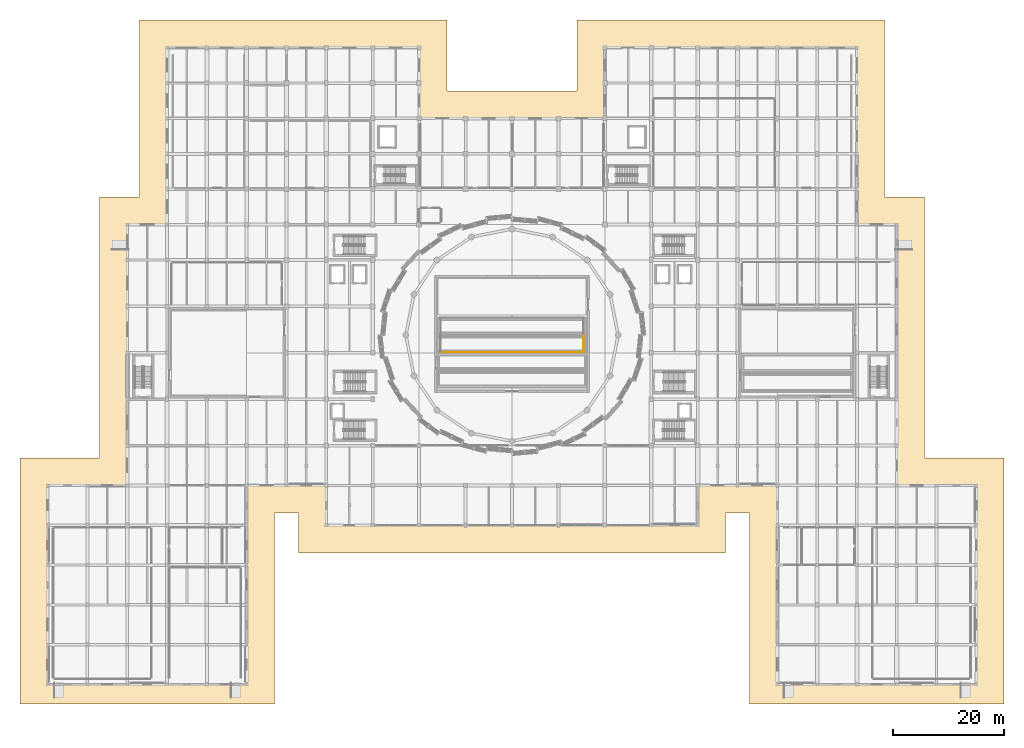
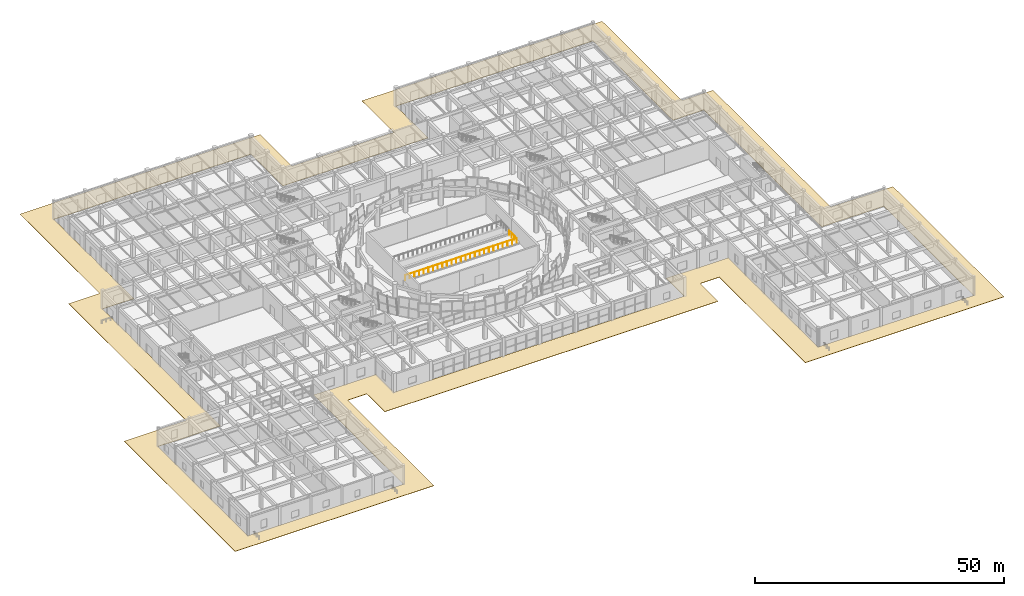
# One storey, part 63 of 72: 1 covering, 1 railing.
"""IFC4 building model written with IfcOpenShell, lengths in metres."""

from ifc_helpers import new_model, si_unit, direction, frame, origin, origin_2d, place, context, subcontext, project, spatial, polyline, circle, outline, extrude, material, layer, layer_set, type_object, element, save


model = new_model("IFC4")

# Units and contexts
model_context = context("Model", 3, precision=1e-05, world=origin(), true_north=direction((0.0, 1.0)))
body_context = subcontext(model_context, "Body", "Model", "MODEL_VIEW")
ifc_project = project(units=[si_unit("LENGTHUNIT", "METRE"), si_unit("AREAUNIT", "SQUARE_METRE"), si_unit("VOLUMEUNIT", "CUBIC_METRE"), si_unit("PLANEANGLEUNIT", "RADIAN"), si_unit("MASSUNIT", "GRAM", prefix="KILO")], contexts=[model_context])

# Site, building, storey
site_placement = place(None, origin())
site = spatial("IfcSite", under=ifc_project, at=site_placement, CompositionType="ELEMENT")
building_placement = place(site_placement, origin())
building = spatial("IfcBuilding", under=site, at=building_placement, Name="Korsvaeld Concert Hall", CompositionType="ELEMENT")
storey_placement = place(building_placement, origin())
storey = spatial("IfcBuildingStorey", under=building, at=storey_placement, Name="L00", CompositionType="ELEMENT", Elevation=0.0)

# Covering
ifc_material_1 = material(Name="Coastal dark grey granite plaza paving", Category="masonry")
ifc_layer = layer(ifc_material_1, 0.080078125)
ifc_layer_set = layer_set([ifc_layer], Name="Coastal dark grey granite plaza paving")
covering_type = type_object("IfcCoveringType", Name="COV-APRON-GRANITE", PredefinedType="FLOORING", material=ifc_layer_set)
covering_placement = place(storey_placement, frame((0.0, 0.0, -0.080078125)))
element("IfcCovering", 1, at=covering_placement, inside=storey, type_object=covering_type, Name="Korsvaeld Civic Square granite colonnade & plaza paving 1", PredefinedType="FLOORING", context=body_context, shape_type="SweptSolid", body=[
    extrude(outline(polyline([(16.60009765625, 88.199951171875), (16.60009765625, 120.199951171875), (72.199951171875, 120.199951171875), (72.199951171875, 107.39990234375), (95.800048828125, 107.39990234375), (95.800048828125, 120.199951171875), (151.39990234375, 120.199951171875), (151.39990234375, 88.199951171875), (158.60009765625, 88.199951171875), (158.60009765625, 41.0), (173.0, 41.0), (173.0, -3.5), (127.0, -3.5), (127.0, 31.0), (122.60009765625, 31.0), (122.60009765625, 23.800048828125), (45.39990234375, 23.800048828125), (45.39990234375, 31.0), (41.0, 31.0), (41.0, -3.5), (-5.0, -3.5), (-5.0, 41.0), (9.39990234375, 41.0), (9.39990234375, 88.199951171875), (16.60009765625, 88.199951171875)]), holes=[polyline([(0.0, 36.0), (0.0, 0.0), (36.0, 0.0), (36.0, 36.0), (50.39990234375, 36.0), (50.39990234375, 28.800048828125), (117.60009765625, 28.800048828125), (117.60009765625, 36.0), (132.0, 36.0), (132.0, 0.0), (168.0, 0.0), (168.0, 36.0), (153.60009765625, 36.0), (153.60009765625, 43.199951171875), (153.60009765625, 83.199951171875), (146.39990234375, 83.199951171875), (146.39990234375, 115.199951171875), (100.800048828125, 115.199951171875), (100.800048828125, 102.39990234375), (67.199951171875, 102.39990234375), (67.199951171875, 115.199951171875), (21.60009765625, 115.199951171875), (21.60009765625, 83.199951171875), (14.39990234375, 83.199951171875), (14.39990234375, 43.199951171875), (14.39990234375, 36.0), (0.0, 36.0)])]), origin(), (0.0, 0.0, 1.0), 0.080078125),
])

# Railing
ifc_material_2 = material(Name="Acoustic laminated glass and oak auditorium balustrade", Category="glass")
railing_type = type_object("IfcRailingType", Name="RL-VOID-BAL-120", PredefinedType="BALUSTRADE", material=ifc_material_2)
railing_placement = place(storey_placement, frame((71.080078125, 60.080078125, 1.25)))
element("IfcRailing", 2, at=railing_placement, inside=storey, type_object=railing_type, Name="Auditorium acoustic balustrade V1-STALL-T3", PredefinedType="BALUSTRADE", context=body_context, shape_type="SweptSolid", body=[
    extrude(circle(Radius=0.02392578125, at=origin_2d()), frame((0.0, 0.0, 1.17578125), z_axis=(1.0, 0.0, 0.0), x_axis=(0.0, 1.0, 0.0)), (0.0, 0.0, 1.0), 25.83984375),
    extrude(circle(Radius=0.02392578125, at=origin_2d()), frame((25.83984375, 0.0, 1.17578125), z_axis=(0.0, 1.0, 0.0), x_axis=(-1.0, 0.0, 0.0)), (0.0, 0.0, 1.0), 3.0400390625),
    extrude(circle(Radius=0.02099609375, at=origin_2d()), origin(), (0.0, 0.0, 1.0), 1.15185546875),
    extrude(circle(Radius=0.02099609375, at=origin_2d()), frame((1.07666015625, 0.0, 0.0)), (0.0, 0.0, 1.0), 1.15185546875),
    extrude(circle(Radius=0.02099609375, at=origin_2d()), frame((2.1533203125, 0.0, 0.0)), (0.0, 0.0, 1.0), 1.15185546875),
    extrude(circle(Radius=0.02099609375, at=origin_2d()), frame((3.22998046875, 0.0, 0.0)), (0.0, 0.0, 1.0), 1.15185546875),
    extrude(circle(Radius=0.02099609375, at=origin_2d()), frame((4.306640625, 0.0, 0.0)), (0.0, 0.0, 1.0), 1.15185546875),
    extrude(circle(Radius=0.02099609375, at=origin_2d()), frame((5.38330078125, 0.0, 0.0)), (0.0, 0.0, 1.0), 1.15185546875),
    extrude(circle(Radius=0.02099609375, at=origin_2d()), frame((6.4599609375, 0.0, 0.0)), (0.0, 0.0, 1.0), 1.15185546875),
    extrude(circle(Radius=0.02099609375, at=origin_2d()), frame((7.53662109375, 0.0, 0.0)), (0.0, 0.0, 1.0), 1.15185546875),
    extrude(circle(Radius=0.02099609375, at=origin_2d()), frame((8.61328125, 0.0, 0.0)), (0.0, 0.0, 1.0), 1.15185546875),
    extrude(circle(Radius=0.02099609375, at=origin_2d()), frame((9.68994140625, 0.0, 0.0)), (0.0, 0.0, 1.0), 1.15185546875),
    extrude(circle(Radius=0.02099609375, at=origin_2d()), frame((10.7666015625, 0.0, 0.0)), (0.0, 0.0, 1.0), 1.15185546875),
    extrude(circle(Radius=0.02099609375, at=origin_2d()), frame((11.84326171875, 0.0, 0.0)), (0.0, 0.0, 1.0), 1.15185546875),
    extrude(circle(Radius=0.02099609375, at=origin_2d()), frame((12.919921875, 0.0, 0.0)), (0.0, 0.0, 1.0), 1.15185546875),
    extrude(circle(Radius=0.02099609375, at=origin_2d()), frame((13.99658203125, 0.0, 0.0)), (0.0, 0.0, 1.0), 1.15185546875),
    extrude(circle(Radius=0.02099609375, at=origin_2d()), frame((15.0732421875, 0.0, 0.0)), (0.0, 0.0, 1.0), 1.15185546875),
    extrude(circle(Radius=0.02099609375, at=origin_2d()), frame((16.14990234375, 0.0, 0.0)), (0.0, 0.0, 1.0), 1.15185546875),
    extrude(circle(Radius=0.02099609375, at=origin_2d()), frame((17.2265625, 0.0, 0.0)), (0.0, 0.0, 1.0), 1.15185546875),
    extrude(circle(Radius=0.02099609375, at=origin_2d()), frame((18.30322265625, 0.0, 0.0)), (0.0, 0.0, 1.0), 1.15185546875),
    extrude(circle(Radius=0.02099609375, at=origin_2d()), frame((19.3798828125, 0.0, 0.0)), (0.0, 0.0, 1.0), 1.15185546875),
    extrude(circle(Radius=0.02099609375, at=origin_2d()), frame((20.45654296875, 0.0, 0.0)), (0.0, 0.0, 1.0), 1.15185546875),
    extrude(circle(Radius=0.02099609375, at=origin_2d()), frame((21.533203125, 0.0, 0.0)), (0.0, 0.0, 1.0), 1.15185546875),
    extrude(circle(Radius=0.02099609375, at=origin_2d()), frame((22.60986328125, 0.0, 0.0)), (0.0, 0.0, 1.0), 1.15185546875),
    extrude(circle(Radius=0.02099609375, at=origin_2d()), frame((23.6865234375, 0.0, 0.0)), (0.0, 0.0, 1.0), 1.15185546875),
    extrude(circle(Radius=0.02099609375, at=origin_2d()), frame((24.76318359375, 0.0, 0.0)), (0.0, 0.0, 1.0), 1.15185546875),
    extrude(circle(Radius=0.02099609375, at=origin_2d()), frame((25.83984375, 0.0, 0.0)), (0.0, 0.0, 1.0), 1.15185546875),
    extrude(circle(Radius=0.02099609375, at=origin_2d()), frame((25.83984375, 1.013427734375, 0.0)), (0.0, 0.0, 1.0), 1.15185546875),
    extrude(circle(Radius=0.02099609375, at=origin_2d()), frame((25.83984375, 2.026611328125, 0.0)), (0.0, 0.0, 1.0), 1.15185546875),
    extrude(circle(Radius=0.02099609375, at=origin_2d()), frame((25.83984375, 3.0400390625, 0.0)), (0.0, 0.0, 1.0), 1.15185546875),
])

save(model, "model.ifc")
